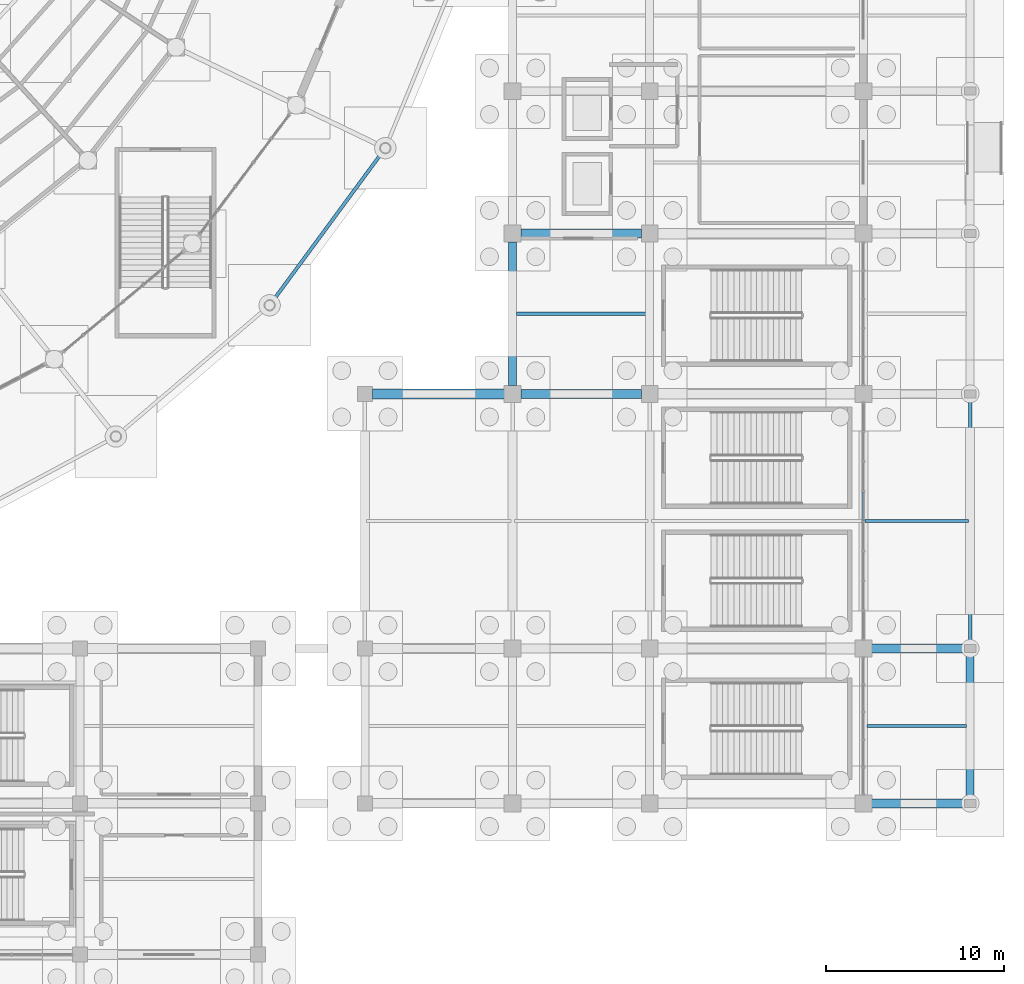
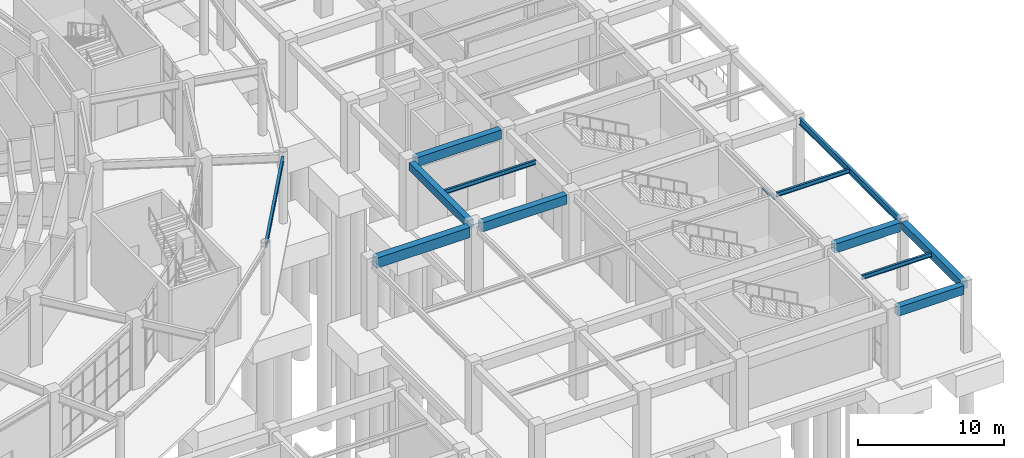
# One storey, part 54 of 121: 12 beams, 1 member, 1 element without a shape of its own.
"""IFC4 building model written with IfcOpenShell, lengths in metres."""

from ifc_helpers import new_model, si_unit, direction, frame, origin, origin_2d, place, context, subcontext, project, spatial, rectangle, i_section, extrude, material, material_profile, profile_set, type_object, element, aggregate, save


model = new_model("IFC4")

# Units and contexts
model_context = context("Model", 3, precision=1e-05, world=origin(), true_north=direction((0.0, 1.0)))
body_context = subcontext(model_context, "Body", "Model", "MODEL_VIEW")
ifc_project = project(units=[si_unit("LENGTHUNIT", "METRE"), si_unit("AREAUNIT", "SQUARE_METRE"), si_unit("VOLUMEUNIT", "CUBIC_METRE"), si_unit("PLANEANGLEUNIT", "RADIAN"), si_unit("MASSUNIT", "GRAM", prefix="KILO")], contexts=[model_context])

# Site, building, storey
site_placement = place(None, origin())
site = spatial("IfcSite", under=ifc_project, at=site_placement, CompositionType="ELEMENT")
building_placement = place(site_placement, origin())
building = spatial("IfcBuilding", under=site, at=building_placement, Name="Cuetzalor Civic Arena", CompositionType="ELEMENT")
storey_placement = place(building_placement, origin())
storey = spatial("IfcBuildingStorey", under=building, at=storey_placement, Name="L00", CompositionType="ELEMENT", Elevation=0.0)

# Beams
ifc_material_1 = material(Name="Concrete C40/50", Category="concrete")
ifc_material_profile_1 = material_profile(ifc_material_1, rectangle(XDim=0.5, YDim=0.75, at=origin_2d()), Name="RC 500x750")
ifc_profile_set_1 = profile_set([ifc_material_profile_1], Name="Concrete C40/50")
beam_type_1 = type_object("IfcBeamType", Name="ConcreteFrameBeam_500x750", PredefinedType="BEAM", material=ifc_profile_set_1)
for number, where, z_axis, x_axis, name in (
    (1, (76.465087890625, -57.0, 5.324951171875), (1.0, 0.0, 0.0), (0.0, 1.0, 0.0), "Frame Girder V4E-L00-X0138"),
    (2, (76.465087890625, -48.300048828125, 5.324951171875), (1.0, 0.0, 0.0), (0.0, 1.0, 0.0), "Frame Girder V4E-L00-X0142"),
):
    element("IfcBeam", number, at=place(storey_placement, frame(where, z_axis=z_axis, x_axis=x_axis)), inside=storey, type_object=beam_type_1, Name=name, PredefinedType="BEAM", context=body_context, shape_type="SweptSolid", body=[
        extrude(rectangle(XDim=0.5, YDim=0.75, at=origin_2d()), origin(), (0.0, 0.0, 1.0), 5.219970703125),
    ])
for number, where, z_axis, x_axis, name in (
    (3, (56.764892578125, -34.0, 5.324951171875), (1.0, 0.0, 0.0), (0.0, 1.0, 0.0), "Frame Girder V4E-L00-X0144"),
    (4, (56.764892578125, -25.0, 5.324951171875), (1.0, 0.0, 0.0), (0.0, 1.0, 0.0), "Frame Girder V4E-L00-X0147"),
):
    element("IfcBeam", number, at=place(storey_placement, frame(where, z_axis=z_axis, x_axis=x_axis)), inside=storey, type_object=beam_type_1, Name=name, PredefinedType="BEAM", context=body_context, shape_type="SweptSolid", body=[
        extrude(rectangle(XDim=0.5, YDim=0.75, at=origin_2d()), origin(), (0.0, 0.0, 1.0), 6.77001953125),
    ])
ifc_material_2 = material(Name="Concrete C40/50", Category="concrete")
ifc_material_profile_2 = material_profile(ifc_material_2, rectangle(XDim=0.550048828125, YDim=0.85009765625, at=origin_2d()), Name="RC 550x850")
ifc_profile_set_2 = profile_set([ifc_material_profile_2], Name="Concrete C40/50")
beam_type_2 = type_object("IfcBeamType", Name="ConcreteFrameBeam_550x850", PredefinedType="BEAM", material=ifc_profile_set_2)
beam_1_placement = place(storey_placement, frame((48.4150390625, -34.0, 5.27490234375), z_axis=(1.0, 0.0, 0.0), x_axis=(0.0, 1.0, 0.0)))
element("IfcBeam", 5, at=beam_1_placement, inside=storey, type_object=beam_type_2, Name="Frame Girder V4E-L00-X0143", PredefinedType="BEAM", context=body_context, shape_type="SweptSolid", body=[
    extrude(rectangle(XDim=0.550048828125, YDim=0.85009765625, at=origin_2d()), origin(), (0.0, 0.0, 1.0), 7.419921875),
])
ifc_material_3 = material(Name="Concrete C40/50", Category="concrete")
ifc_material_profile_3 = material_profile(ifc_material_3, rectangle(XDim=0.449951171875, YDim=0.64990234375, at=origin_2d()), Name="RC 450x650")
ifc_profile_set_3 = profile_set([ifc_material_profile_3], Name="Concrete C40/50")
beam_type_3 = type_object("IfcBeamType", Name="ConcreteTieBeam_450x650", PredefinedType="BEAM", material=ifc_profile_set_3)
beam_2_placement = place(storey_placement, frame((56.300048828125, -33.534912109375, 5.375), z_axis=(0.0, 1.0, 0.0), x_axis=(-1.0, 0.0, 0.0)))
element("IfcBeam", 6, at=beam_2_placement, inside=storey, type_object=beam_type_3, Name="Frame Girder V4E-L00-Y0175", PredefinedType="BEAM", context=body_context, shape_type="SweptSolid", body=[
    extrude(rectangle(XDim=0.449951171875, YDim=0.64990234375, at=origin_2d()), origin(), (0.0, 0.0, 1.0), 8.06982421875),
])
beam_3_placement = place(storey_placement, frame((82.0, -56.784912109375, 5.375), z_axis=(0.0, 1.0, 0.0), x_axis=(-1.0, 0.0, 0.0)))
element("IfcBeam", 7, at=beam_3_placement, inside=storey, type_object=beam_type_3, Name="Frame Girder V4E-L00-Y0203", PredefinedType="BEAM", context=body_context, shape_type="SweptSolid", body=[
    extrude(rectangle(XDim=0.449951171875, YDim=0.64990234375, at=origin_2d()), origin(), (0.0, 0.0, 1.0), 8.27001953125),
])

# Curtain wall, member
ifc_material_4 = material(Name="Anodised dark bronze aluminium and low-E solar glass", Category="aluminium")
curtain_wall_type = type_object("IfcCurtainWallType", Name="UnitisedCW_13400x5150", PredefinedType="USERDEFINED", material=ifc_material_4)
curtain_wall_placement = place(storey_placement, origin())
curtain_wall = element("IfcCurtainWall", 8, at=curtain_wall_placement, inside=storey, type_object=curtain_wall_type, Name="V4E Colonnade Curtain Wall L00-131", ObjectType="UNITISED CURTAIN WALL", PredefinedType="USERDEFINED")
ifc_material_5 = material(Name="Anodised dark bronze aluminium", Category="aluminium")
ifc_material_profile_4 = material_profile(ifc_material_5, rectangle(XDim=0.139892578125, YDim=0.070068359375, at=origin_2d()), Name="ALU TRANSOM 70x140")
ifc_profile_set_4 = profile_set([ifc_material_profile_4], Name="Anodised dark bronze aluminium")
member_type = type_object("IfcMemberType", Name="CurtainWallTransom_65x140", PredefinedType="USERDEFINED", material=ifc_profile_set_4)
member_placement = place(storey_placement, frame((76.0, -39.51171875, 5.1220703125), z_axis=(0.0, -1.0, 0.0), x_axis=(1.0, 0.0, 0.0)))
member = element("IfcMember", 9, at=member_placement, type_object=member_type, Name="CW-32 transom 4.4", ObjectType="TRANSOM", PredefinedType="USERDEFINED", context=body_context, shape_type="SweptSolid", body=[
    extrude(rectangle(XDim=0.139892578125, YDim=0.070068359375, at=origin_2d()), origin(), (0.0, 0.0, 1.0), 1.603271484375),
])
aggregate(curtain_wall, [member])

# Beams
ifc_material_6 = material(Name="Steel S355", Category="steel")
ifc_material_profile_5 = material_profile(ifc_material_6, i_section(OverallWidth=0.18994140625, OverallDepth=0.45703125, WebThickness=0.009033203125, FlangeThickness=0.014404296875, at=origin_2d()), Name="W460x74")
ifc_profile_set_5 = profile_set([ifc_material_profile_5], Name="Steel S355")
beam_type_4 = type_object("IfcBeamType", Name="FacadeSpandrelBeam_W460", PredefinedType="SPANDREL", material=ifc_profile_set_5)
beam_4_placement = place(storey_placement, frame((42.82080078125, -28.7900390625, 5.471435546875), z_axis=(0.592928645702, 0.805255003776, 0.0), x_axis=(-0.805255003776, 0.592928645702, 0.0)))
element("IfcBeam", 10, at=beam_4_placement, inside=storey, type_object=beam_type_4, Name="Drum Perimeter Spandrel L00-S26", PredefinedType="SPANDREL", context=body_context, shape_type="SweptSolid", body=[
    extrude(i_section(OverallWidth=0.18994140625, OverallDepth=0.45703125, WebThickness=0.009033203125, FlangeThickness=0.014404296875, at=origin_2d()), origin(), (0.0, 0.0, 1.0), 10.380615234375),
])
ifc_material_7 = material(Name="Steel S355", Category="steel")
ifc_material_profile_6 = material_profile(ifc_material_7, i_section(OverallWidth=0.1708984375, OverallDepth=0.35498046875, WebThickness=0.007080078125, FlangeThickness=0.01171875, at=origin_2d()), Name="W360x51")
ifc_profile_set_6 = profile_set([ifc_material_profile_6], Name="Steel S355")
beam_type_5 = type_object("IfcBeamType", Name="SecondaryFloorJoist_W360", PredefinedType="JOIST", material=ifc_profile_set_6)
beam_5_placement = place(storey_placement, frame((56.51708984375, -29.5, 5.5224609375), z_axis=(1.0, 0.0, 0.0), x_axis=(0.0, 1.0, 0.0)))
element("IfcBeam", 11, at=beam_5_placement, inside=storey, type_object=beam_type_5, Name="Secondary Floor Joist V4E-L00-0047", PredefinedType="JOIST", context=body_context, shape_type="SweptSolid", body=[
    extrude(i_section(OverallWidth=0.1708984375, OverallDepth=0.35498046875, WebThickness=0.007080078125, FlangeThickness=0.01171875, at=origin_2d()), origin(), (0.0, 0.0, 1.0), 7.265869140625),
])
beam_6_placement = place(storey_placement, frame((76.217041015625, -52.64990234375, 5.5224609375), z_axis=(1.0, 0.0, 0.0), x_axis=(0.0, 1.0, 0.0)))
element("IfcBeam", 12, at=beam_6_placement, inside=storey, type_object=beam_type_5, Name="Secondary Floor Joist V4E-L00-0061", PredefinedType="JOIST", context=body_context, shape_type="SweptSolid", body=[
    extrude(i_section(OverallWidth=0.1708984375, OverallDepth=0.35498046875, WebThickness=0.007080078125, FlangeThickness=0.01171875, at=origin_2d()), origin(), (0.0, 0.0, 1.0), 5.56591796875),
])
beam_7_placement = place(storey_placement, frame((76.096435546875, -41.14990234375, 5.5224609375), z_axis=(1.0, 0.0, 0.0), x_axis=(0.0, 1.0, 0.0)))
element("IfcBeam", 13, at=beam_7_placement, inside=storey, type_object=beam_type_5, Name="Secondary Floor Joist V4E-L00-0062", PredefinedType="JOIST", context=body_context, shape_type="SweptSolid", body=[
    extrude(i_section(OverallWidth=0.1708984375, OverallDepth=0.35498046875, WebThickness=0.007080078125, FlangeThickness=0.01171875, at=origin_2d()), origin(), (0.0, 0.0, 1.0), 5.80712890625),
])
ifc_material_8 = material(Name="Steel S355", Category="steel")
ifc_material_profile_7 = material_profile(ifc_material_8, i_section(OverallWidth=0.208984375, OverallDepth=0.532958984375, WebThickness=0.01025390625, FlangeThickness=0.015625, at=origin_2d()), Name="W530x92")
ifc_profile_set_7 = profile_set([ifc_material_profile_7], Name="Steel S355")
beam_type_6 = type_object("IfcBeamType", Name="SteelCollarGirder_W530", PredefinedType="BEAM", material=ifc_profile_set_7)
beam_8_placement = place(storey_placement, frame((82.0, -48.0849609375, 5.43359375), z_axis=(0.0, 1.0, 0.0), x_axis=(-1.0, 0.0, 0.0)))
element("IfcBeam", 14, at=beam_8_placement, inside=storey, type_object=beam_type_6, Name="Frame Girder V4E-L00-Y0204", PredefinedType="BEAM", context=body_context, shape_type="SweptSolid", body=[
    extrude(i_section(OverallWidth=0.208984375, OverallDepth=0.532958984375, WebThickness=0.01025390625, FlangeThickness=0.015625, at=origin_2d()), origin(), (0.0, 0.0, 1.0), 13.869873046875),
])

save(model, "model.ifc")
